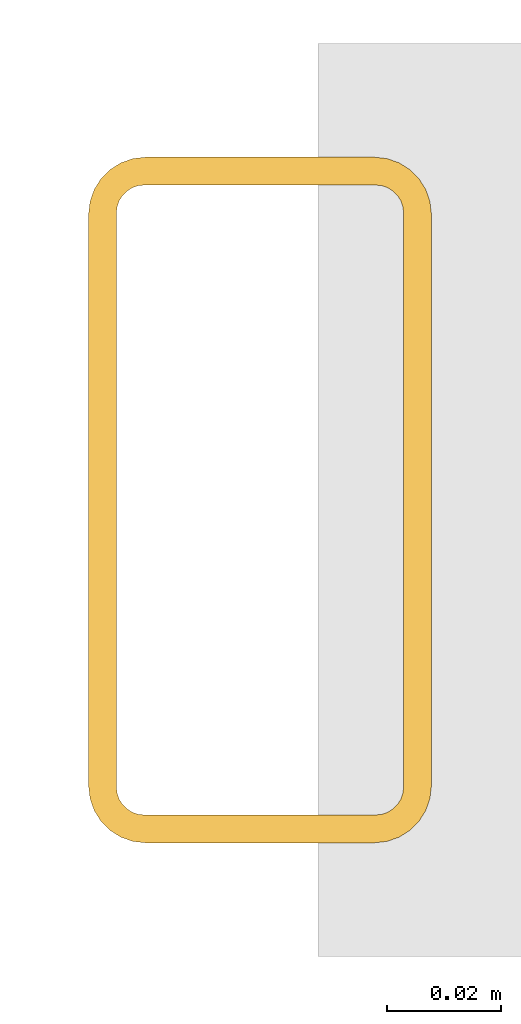
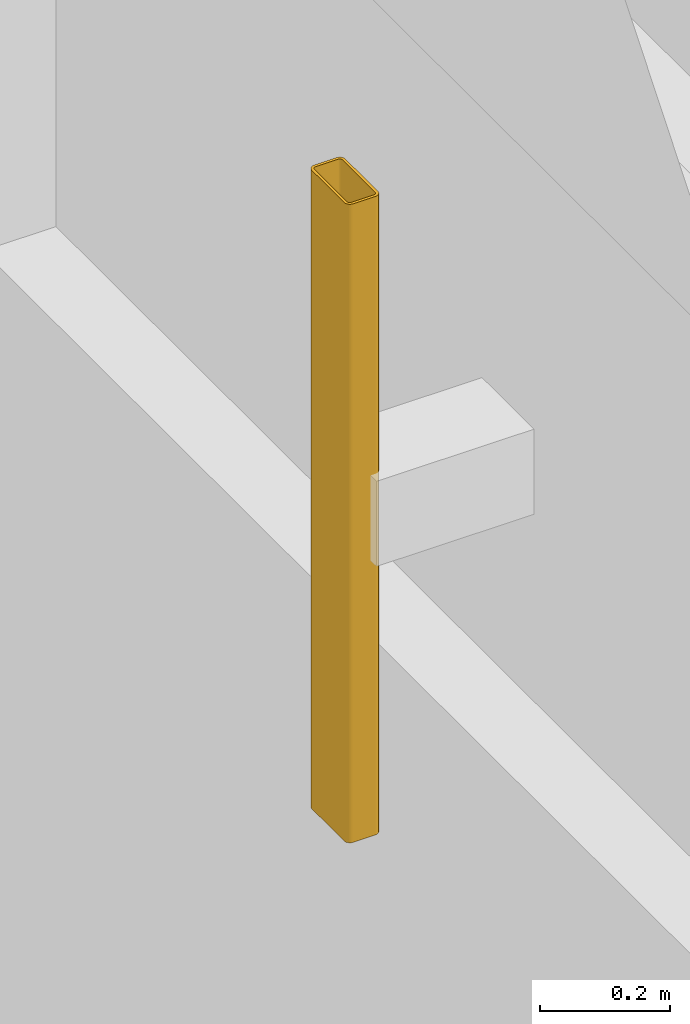
# One storey, part 74 of 93: 1 shading device.
"""IFC4 building model written with IfcOpenShell, lengths in metres."""

from ifc_helpers import new_model, si_unit, derived_unit, direction, frame, origin, origin_2d, place, context, subcontext, project, spatial, hollow_rectangle, extrude, material, material_profile, profile_set, type_object, element, save


model = new_model("IFC4")

# Units and contexts
model_context = context("Model", 3, precision=1e-05, world=origin(), true_north=direction((0.0, 1.0)))
body_context = subcontext(model_context, "Body", "Model", "MODEL_VIEW")
ifc_project = project(units=[si_unit("LENGTHUNIT", "METRE"), si_unit("AREAUNIT", "SQUARE_METRE"), si_unit("VOLUMEUNIT", "CUBIC_METRE"), si_unit("PLANEANGLEUNIT", "RADIAN"), si_unit("MASSUNIT", "GRAM", prefix="KILO"), derived_unit("THERMALTRANSMITTANCEUNIT", [(si_unit("MASSUNIT", "GRAM", prefix="KILO"), 1), (si_unit("TIMEUNIT", "SECOND"), -3), (si_unit("THERMODYNAMICTEMPERATUREUNIT", "KELVIN"), -1)])], contexts=[model_context])

# Site, building, storey
site_placement = place(None, origin())
site = spatial("IfcSite", under=ifc_project, at=site_placement, CompositionType="ELEMENT")
building_placement = place(site_placement, origin())
building = spatial("IfcBuilding", under=site, at=building_placement, Name="Kharveza Railside Sports Centre", CompositionType="ELEMENT")
storey_placement = place(building_placement, origin())
storey = spatial("IfcBuildingStorey", under=building, at=storey_placement, Name="L00", CompositionType="ELEMENT", Elevation=0.0)

# Shading device
ifc_material = material(Name="Anodised aluminium 6063-T6", Category="aluminium")
ifc_material_profile = material_profile(ifc_material, hollow_rectangle(XDim=0.06005859375, YDim=0.1201171875, WallThickness=0.0048828125, InnerFilletRadius=0.0048828125, OuterFilletRadius=0.010009765625, at=origin_2d()), Name="RHS 60x120x5.0")
ifc_profile_set = profile_set([ifc_material_profile], Name="Anodised aluminium 6063-T6")
shading_device_type = type_object("IfcShadingDeviceType", Name="SD-LV01", PredefinedType="JALOUSIE", material=ifc_profile_set)
shading_device_placement = place(storey_placement, frame((75.159912109375, 24.129638671875, 2.10009765625), z_axis=(0.0, 0.0, 1.0), x_axis=(-1.0, 0.0, 0.0)))
element("IfcShadingDevice", 1, at=shading_device_placement, inside=storey, type_object=shading_device_type, Name="SD-FIN-001", PredefinedType="JALOUSIE", context=body_context, shape_type="SweptSolid", body=[
    extrude(hollow_rectangle(XDim=0.06005859375, YDim=0.1201171875, WallThickness=0.0048828125, InnerFilletRadius=0.0048828125, OuterFilletRadius=0.010009765625, at=origin_2d()), origin(), (0.0, 0.0, 1.0), 1.199951171875),
])

save(model, "model.ifc")
